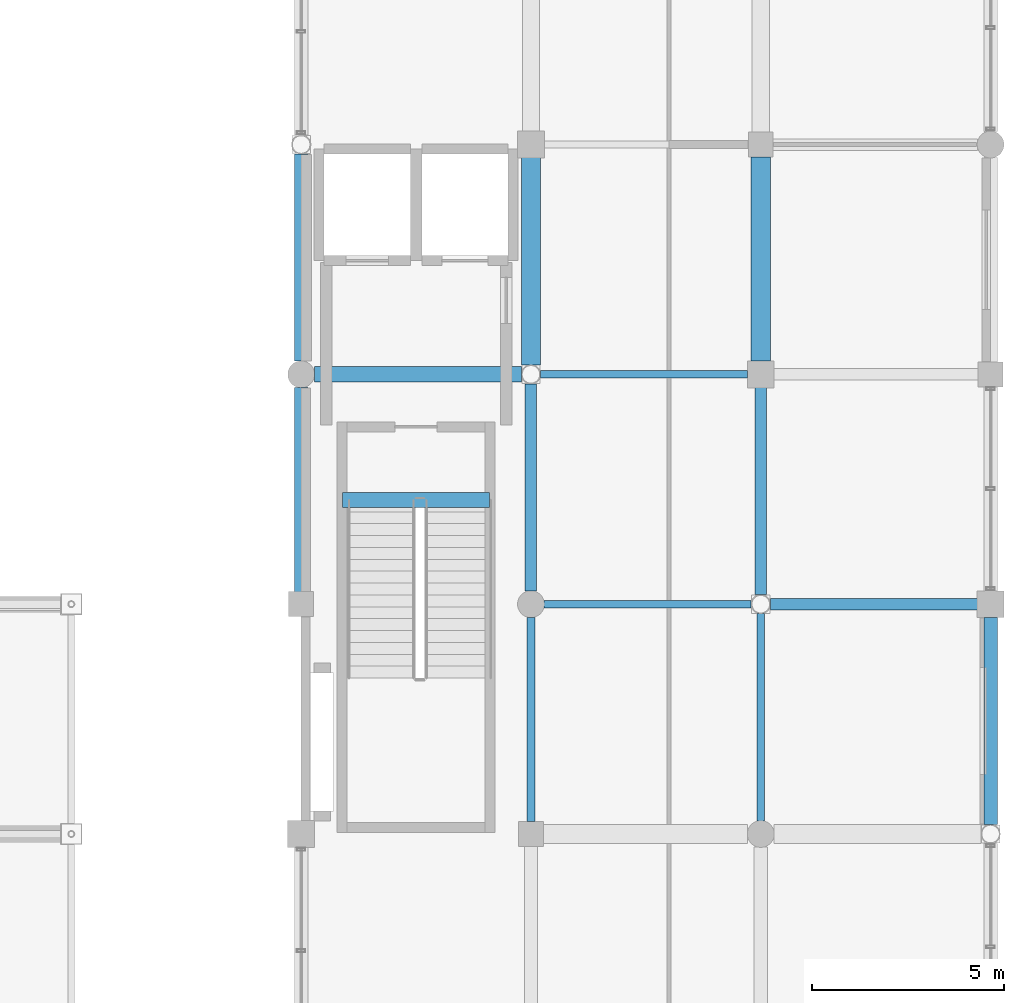
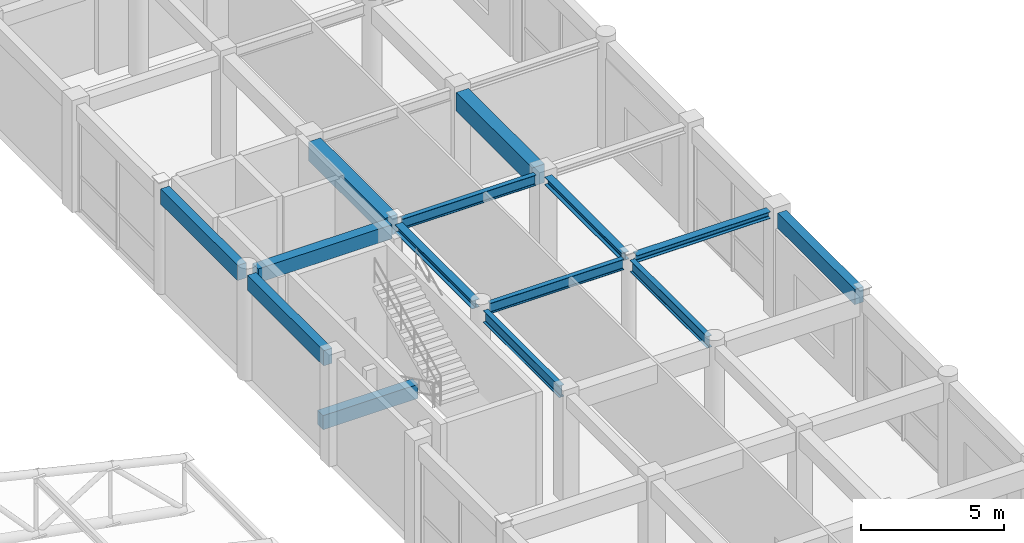
# One storey, part 70 of 112: 14 beams.
"""IFC4 building model written with IfcOpenShell, lengths in metres."""

from ifc_helpers import new_model, si_unit, direction, frame, origin, origin_2d, place, context, subcontext, project, spatial, rectangle, i_section, extrude, material, material_profile, profile_set, type_object, element, save


model = new_model("IFC4")

# Units and contexts
model_context = context("Model", 3, precision=1e-05, world=origin(), true_north=direction((0.0, 1.0)))
body_context = subcontext(model_context, "Body", "Model", "MODEL_VIEW")
ifc_project = project(units=[si_unit("LENGTHUNIT", "METRE"), si_unit("AREAUNIT", "SQUARE_METRE"), si_unit("VOLUMEUNIT", "CUBIC_METRE"), si_unit("PLANEANGLEUNIT", "RADIAN"), si_unit("MASSUNIT", "GRAM", prefix="KILO"), si_unit("THERMODYNAMICTEMPERATUREUNIT", "KELVIN"), si_unit("POWERUNIT", "WATT")], contexts=[model_context])

# Site, building, storey
site_placement = place(None, origin())
site = spatial("IfcSite", under=ifc_project, at=site_placement, CompositionType="ELEMENT")
building_placement = place(site_placement, origin())
building = spatial("IfcBuilding", under=site, at=building_placement, Name="Phaisarnlok Congress Hotel", CompositionType="ELEMENT")
storey_placement = place(building_placement, frame((0.0, 0.0, 19.800048828125)))
storey = spatial("IfcBuildingStorey", under=building, at=storey_placement, Name="L04", CompositionType="ELEMENT", Elevation=19.800048828125)

# Beams
ifc_material_1 = material(Name="Concrete C40/50", Category="concrete")
ifc_material_profile_1 = material_profile(ifc_material_1, rectangle(XDim=0.39990234375, YDim=0.60009765625, at=origin_2d()), Name="RC 400x600")
ifc_profile_set_1 = profile_set([ifc_material_profile_1], Name="Concrete C40/50")
beam_type_1 = type_object("IfcBeamType", Name="BM-RC-400x600", PredefinedType="BEAM", material=ifc_profile_set_1)
beam_1_placement = place(storey_placement, frame((162.344970703125, 90.0, 4.25), z_axis=(1.0, 0.0, 0.0), x_axis=(0.0, 1.0, 0.0)))
element("IfcBeam", 1, at=beam_1_placement, inside=storey, type_object=beam_type_1, Name="Beam B-02", PredefinedType="BEAM", context=body_context, shape_type="SweptSolid", body=[
    extrude(rectangle(XDim=0.39990234375, YDim=0.60009765625, at=origin_2d()), origin(), (0.0, 0.0, 1.0), 5.406005859375),
])
beam_2_placement = place(storey_placement, frame((163.080078125, 86.719970703125, -0.300048828125), z_axis=(1.0, 0.0, 0.0), x_axis=(0.0, 1.0, 0.0)))
element("IfcBeam", 2, at=beam_2_placement, inside=storey, type_object=beam_type_1, Name="Stair landing header beam B-02 (CORE-3 L04)", PredefinedType="BEAM", context=body_context, shape_type="SweptSolid", body=[
    extrude(rectangle(XDim=0.39990234375, YDim=0.60009765625, at=origin_2d()), origin(), (0.0, 0.0, 1.0), 3.83984375),
])
ifc_material_profile_2 = material_profile(ifc_material_1, rectangle(XDim=0.5, YDim=0.800048828125, at=origin_2d()), Name="RC 500x800")
ifc_profile_set_2 = profile_set([ifc_material_profile_2], Name="Concrete C40/50")
beam_type_2 = type_object("IfcBeamType", Name="BM-RC-500x800", PredefinedType="BEAM", material=ifc_profile_set_2)
beam_3_placement = place(storey_placement, frame((168.0, 90.2490234375, 4.14990234375), z_axis=(0.0, 1.0, 0.0), x_axis=(-1.0, 0.0, 0.0)))
element("IfcBeam", 3, at=beam_3_placement, inside=storey, type_object=beam_type_2, Name="Beam B-04", PredefinedType="BEAM", context=body_context, shape_type="SweptSolid", body=[
    extrude(rectangle(XDim=0.5, YDim=0.800048828125, at=origin_2d()), origin(), (0.0, 0.0, 1.0), 5.406005859375),
])
beam_4_placement = place(storey_placement, frame((174.0, 90.344970703125, 4.14990234375), z_axis=(0.0, 1.0, 0.0), x_axis=(-1.0, 0.0, 0.0)))
element("IfcBeam", 4, at=beam_4_placement, inside=storey, type_object=beam_type_2, Name="Beam B-04", PredefinedType="BEAM", context=body_context, shape_type="SweptSolid", body=[
    extrude(rectangle(XDim=0.5, YDim=0.800048828125, at=origin_2d()), origin(), (0.0, 0.0, 1.0), 5.3349609375),
])
ifc_material_2 = material(Name="Steel S355", Category="steel")
ifc_material_profile_3 = material_profile(ifc_material_2, i_section(OverallWidth=0.300048828125, OverallDepth=0.2900390625, WebThickness=0.008544921875, FlangeThickness=0.013916015625, FilletRadius=0.027099609375, at=origin_2d()), Name="HEA 300")
ifc_profile_set_3 = profile_set([ifc_material_profile_3], Name="Steel S355")
beam_type_3 = type_object("IfcBeamType", Name="BM-STL-HEA300", PredefinedType="BEAM", material=ifc_profile_set_3)
beam_5_placement = place(storey_placement, frame((174.2490234375, 84.0, 4.405029296875), z_axis=(1.0, 0.0, 0.0), x_axis=(0.0, 1.0, 0.0)))
element("IfcBeam", 5, at=beam_5_placement, inside=storey, type_object=beam_type_3, Name="Beam SB-05", PredefinedType="BEAM", context=body_context, shape_type="SweptSolid", body=[
    extrude(i_section(OverallWidth=0.300048828125, OverallDepth=0.2900390625, WebThickness=0.008544921875, FlangeThickness=0.013916015625, FilletRadius=0.027099609375, at=origin_2d()), origin(), (0.0, 0.0, 1.0), 5.406005859375),
])
ifc_material_profile_4 = material_profile(ifc_material_2, i_section(OverallWidth=0.300048828125, OverallDepth=0.340087890625, WebThickness=0.011962890625, FlangeThickness=0.021484375, FilletRadius=0.027099609375, at=origin_2d()), Name="HEB 340")
ifc_profile_set_4 = profile_set([ifc_material_profile_4], Name="Steel S355")
beam_type_4 = type_object("IfcBeamType", Name="BM-STL-HEB340", PredefinedType="BEAM", material=ifc_profile_set_4)
for number, where, z_axis, x_axis, name in (
    (6, (168.0, 84.344970703125, 4.3798828125), (0.0, 1.0, 0.0), (-1.0, 0.0, 0.0), "Beam SB-07"),
    (7, (174.0, 84.2490234375, 4.3798828125), (0.0, 1.0, 0.0), (-1.0, 0.0, 0.0), "Beam SB-07"),
):
    element("IfcBeam", number, at=place(storey_placement, frame(where, z_axis=z_axis, x_axis=x_axis)), inside=storey, type_object=beam_type_4, Name=name, PredefinedType="BEAM", context=body_context, shape_type="SweptSolid", body=[
        extrude(i_section(OverallWidth=0.300048828125, OverallDepth=0.340087890625, WebThickness=0.011962890625, FlangeThickness=0.021484375, FilletRadius=0.027099609375, at=origin_2d()), origin(), (0.0, 0.0, 1.0), 5.406005859375),
    ])
ifc_material_profile_5 = material_profile(ifc_material_2, i_section(OverallWidth=0.18994140625, OverallDepth=0.449951171875, WebThickness=0.009521484375, FlangeThickness=0.0146484375, FilletRadius=0.02099609375, at=origin_2d()), Name="IPE 450")
ifc_profile_set_5 = profile_set([ifc_material_profile_5], Name="Steel S355")
beam_type_5 = type_object("IfcBeamType", Name="BM-STL-IPE450", PredefinedType="BEAM", material=ifc_profile_set_5)
for number, where, z_axis, x_axis, name in (
    (8, (168.344970703125, 84.0, 4.324951171875), (1.0, 0.0, 0.0), (0.0, 1.0, 0.0), "Beam SB-01"),
    (9, (168.2490234375, 90.0, 4.324951171875), (1.0, 0.0, 0.0), (0.0, 1.0, 0.0), "Beam SB-01"),
):
    element("IfcBeam", number, at=place(storey_placement, frame(where, z_axis=z_axis, x_axis=x_axis)), inside=storey, type_object=beam_type_5, Name=name, PredefinedType="BEAM", context=body_context, shape_type="SweptSolid", body=[
        extrude(i_section(OverallWidth=0.18994140625, OverallDepth=0.449951171875, WebThickness=0.009521484375, FlangeThickness=0.0146484375, FilletRadius=0.02099609375, at=origin_2d()), origin(), (0.0, 0.0, 1.0), 5.406005859375),
    ])
ifc_material_profile_6 = material_profile(ifc_material_2, i_section(OverallWidth=0.199951171875, OverallDepth=0.5, WebThickness=0.01025390625, FlangeThickness=0.01611328125, FilletRadius=0.02099609375, at=origin_2d()), Name="IPE 500")
ifc_profile_set_6 = profile_set([ifc_material_profile_6], Name="Steel S355")
beam_type_6 = type_object("IfcBeamType", Name="BM-STL-IPE500", PredefinedType="BEAM", material=ifc_profile_set_6)
beam_6_placement = place(storey_placement, frame((168.0, 78.320068359375, 4.300048828125), z_axis=(0.0, 1.0, 0.0), x_axis=(-1.0, 0.0, 0.0)))
element("IfcBeam", 10, at=beam_6_placement, inside=storey, type_object=beam_type_6, Name="Beam SB-02", PredefinedType="BEAM", context=body_context, shape_type="SweptSolid", body=[
    extrude(i_section(OverallWidth=0.199951171875, OverallDepth=0.5, WebThickness=0.01025390625, FlangeThickness=0.01611328125, FilletRadius=0.02099609375, at=origin_2d()), origin(), (0.0, 0.0, 1.0), 5.3349609375),
])
beam_7_placement = place(storey_placement, frame((174.0, 78.344970703125, 4.300048828125), z_axis=(0.0, 1.0, 0.0), x_axis=(-1.0, 0.0, 0.0)))
element("IfcBeam", 11, at=beam_7_placement, inside=storey, type_object=beam_type_6, Name="Beam SB-02", PredefinedType="BEAM", context=body_context, shape_type="SweptSolid", body=[
    extrude(i_section(OverallWidth=0.199951171875, OverallDepth=0.5, WebThickness=0.01025390625, FlangeThickness=0.01611328125, FilletRadius=0.02099609375, at=origin_2d()), origin(), (0.0, 0.0, 1.0), 5.406005859375),
])
ifc_material_profile_7 = material_profile(ifc_material_1, rectangle(XDim=0.35009765625, YDim=0.64990234375, at=origin_2d()), Name="RC 350x650")
ifc_profile_set_7 = profile_set([ifc_material_profile_7], Name="Concrete C40/50")
beam_type_7 = type_object("IfcBeamType", Name="SP-RC-350x650", PredefinedType="SPANDREL", material=ifc_profile_set_7)
beam_8_placement = place(storey_placement, frame((162.0, 84.320068359375, 4.224853515625), z_axis=(0.0, 1.0, 0.0), x_axis=(-1.0, 0.0, 0.0)))
element("IfcBeam", 12, at=beam_8_placement, inside=storey, type_object=beam_type_7, Name="Beam SP-01", PredefinedType="SPANDREL", context=body_context, shape_type="SweptSolid", body=[
    extrude(rectangle(XDim=0.35009765625, YDim=0.64990234375, at=origin_2d()), origin(), (0.0, 0.0, 1.0), 5.3349609375),
])
for number, where, z_axis, x_axis, name in (
    (13, (162.0, 90.344970703125, 4.224853515625), (0.0, 1.0, 0.0), (-1.0, 0.0, 0.0), "Beam SP-01"),
    (14, (180.0, 78.2490234375, 4.224853515625), (0.0, 1.0, 0.0), (-1.0, 0.0, 0.0), "Beam SP-01"),
):
    element("IfcBeam", number, at=place(storey_placement, frame(where, z_axis=z_axis, x_axis=x_axis)), inside=storey, type_object=beam_type_7, Name=name, PredefinedType="SPANDREL", context=body_context, shape_type="SweptSolid", body=[
        extrude(rectangle(XDim=0.35009765625, YDim=0.64990234375, at=origin_2d()), origin(), (0.0, 0.0, 1.0), 5.406005859375),
    ])

save(model, "model.ifc")
